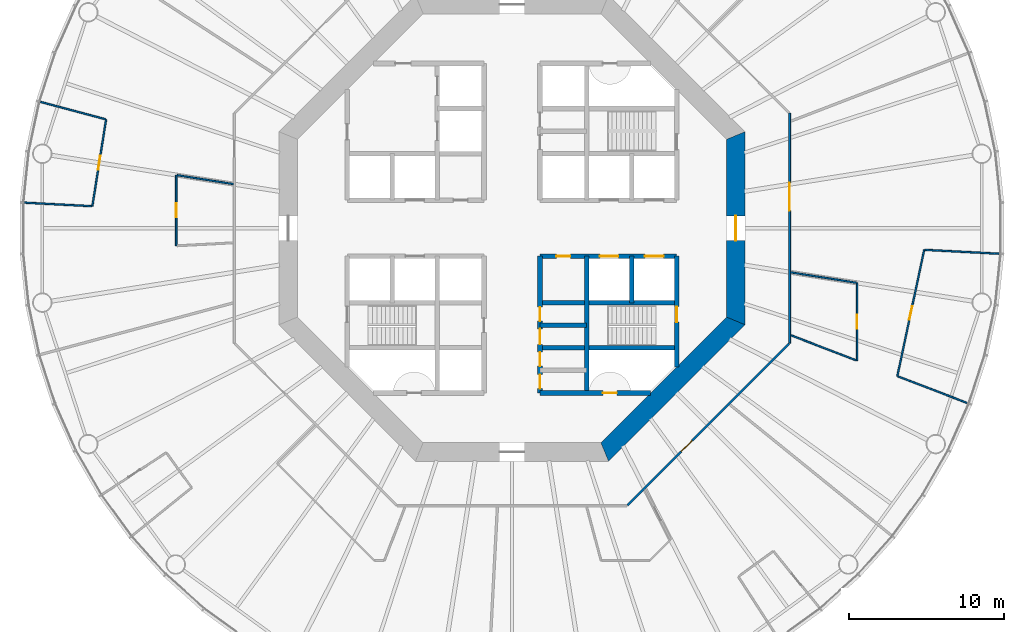
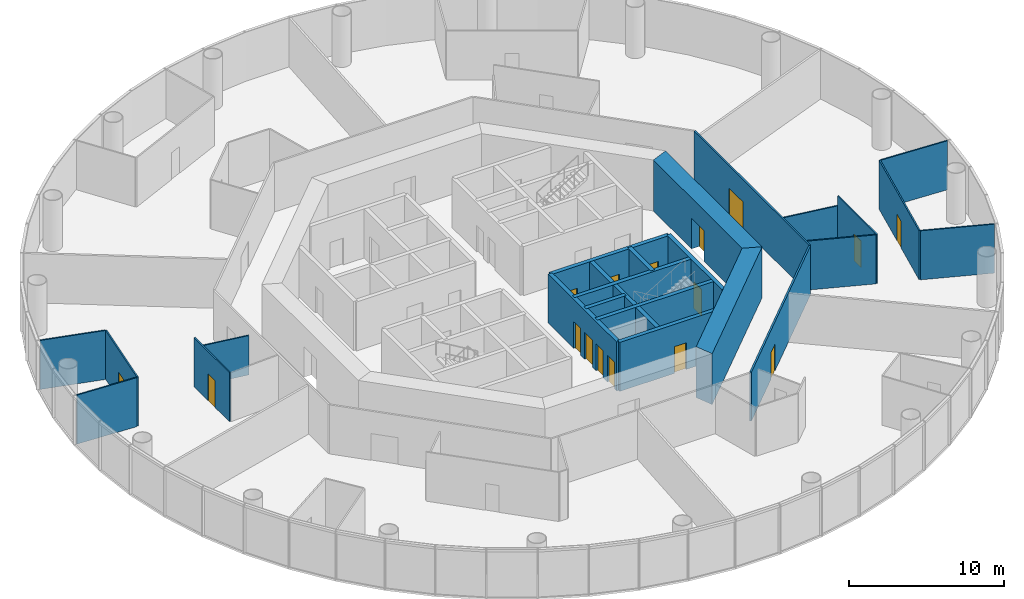
# One storey, part 4 of 13: 24 walls, 16 doors, 16 openings.
"""IFC4 building model written with IfcOpenShell, lengths in metres."""

from ifc_helpers import new_model, si_unit, direction, frame, frame_2d, origin, place, context, subcontext, project, spatial, polyline, rectangle, outline, extrude, material, layer, layer_set, type_object, element, fill, save


model = new_model("IFC4")

# Units and contexts
model_context = context("Model", 3, precision=1e-05, world=origin(), true_north=direction((0.0, 1.0)))
body_context = subcontext(model_context, "Body", "Model", "MODEL_VIEW")
ifc_project = project(units=[si_unit("LENGTHUNIT", "METRE"), si_unit("AREAUNIT", "SQUARE_METRE"), si_unit("VOLUMEUNIT", "CUBIC_METRE"), si_unit("PLANEANGLEUNIT", "RADIAN"), si_unit("MASSUNIT", "GRAM", prefix="KILO")], contexts=[model_context])

# Site, building, storey
site_placement = place(None, origin())
site = spatial("IfcSite", under=ifc_project, at=site_placement, CompositionType="ELEMENT")
building_placement = place(site_placement, origin())
building = spatial("IfcBuilding", under=site, at=building_placement, Name="Entoto Ring Tower", CompositionType="ELEMENT")
storey_placement = place(building_placement, frame((0.0, 0.0, 88.0)))
storey = spatial("IfcBuildingStorey", under=building, at=storey_placement, Name="L19", CompositionType="ELEMENT", Elevation=88.0)

# Wall, opening, door
ifc_material_1 = material(Name="Concrete C40/50", Category="concrete")
ifc_layer_1 = layer(ifc_material_1, 0.300048828125)
ifc_layer_set_1 = layer_set([ifc_layer_1], Name="Concrete C40/50")
wall_type_1 = type_object("IfcWallType", Name="Core enclosure wall 300 mm reinforced concrete", PredefinedType="SOLIDWALL", material=ifc_layer_set_1)
wall_1_placement = place(storey_placement, frame((100.60009765625, 71.083984375, 0.0), z_axis=(0.0, 0.0, 1.0), x_axis=(0.0, 1.0, 0.0)))
wall_1 = element("IfcWall", 1, at=wall_1_placement, inside=storey, type_object=wall_type_1, Name="wall-L19-001", PredefinedType="SOLIDWALL", context=body_context, shape_type="SweptSolid", body=[
    extrude(rectangle(XDim=7.115966796875, YDim=0.300048828125, at=frame_2d((3.55810546875, 0.0))), origin(), (0.0, 0.0, 1.0), 3.85009765625),
])
opening_1_placement = place(wall_1_placement, frame((2.8662109375, 0.0, 0.0)))
opening_1 = element("IfcOpeningElement", 2, at=opening_1_placement, cuts=wall_1, Name="Opening K-22", PredefinedType="OPENING", context=body_context, shape_type="SweptSolid", body=[
    extrude(rectangle(XDim=1.0, YDim=2.10009765625, at=frame_2d((0.5, 1.050048828125))), frame((0.0, 0.16015625, 0.0), z_axis=(0.0, -1.0, 0.0), x_axis=(1.0, 0.0, 0.0)), (0.0, 0.0, 1.0), 0.320068359375),
])
ifc_material_2 = material(Name="Steel door leaf, fire rated", Category="steel")
ifc_layer_2 = layer(ifc_material_2, 0.050048828125)
ifc_layer_set_2 = layer_set([ifc_layer_2], Name="Steel door leaf, fire rated")
door_type_1 = type_object("IfcDoorType", Name="Fire door FD60 1000 x 2100 single leaf", OperationType="NOTDEFINED", PredefinedType="DOOR", material=ifc_layer_set_2)
door_1_placement = place(opening_1_placement, origin())
door_1 = element("IfcDoor", 3, at=door_1_placement, inside=storey, type_object=door_type_1, Name="Door K-22", OperationType="SINGLE_SWING_RIGHT", OverallHeight=2.10009765625, OverallWidth=1.0, PredefinedType="DOOR", context=body_context, shape_type="SweptSolid", body=[
    extrude(rectangle(XDim=1.0, YDim=2.10009765625, at=frame_2d((0.5, 1.050048828125))), frame((0.0, 0.02490234375, 0.0), z_axis=(0.0, -1.0, 0.0), x_axis=(1.0, 0.0, 0.0)), (0.0, 0.0, 1.0), 0.050048828125),
])
fill(opening_1, door_1)

# Walls
wall_2_placement = place(storey_placement, frame((97.699951171875, 75.199951171875, 0.0), z_axis=(0.0, 0.0, 1.0), x_axis=(0.0, 1.0, 0.0)))
element("IfcWall", 4, at=wall_2_placement, inside=storey, type_object=wall_type_1, Name="wall-L19-003", PredefinedType="SOLIDWALL", context=body_context, shape_type="SweptSolid", body=[
    extrude(rectangle(XDim=3.0, YDim=0.300048828125, at=frame_2d((1.5, 0.0))), origin(), (0.0, 0.0, 1.0), 3.85009765625),
])
wall_3_placement = place(storey_placement, frame((94.800048828125, 69.39990234375, 0.0), z_axis=(0.0, 0.0, 1.0), x_axis=(0.0, 1.0, 0.0)))
element("IfcWall", 5, at=wall_3_placement, inside=storey, type_object=wall_type_1, Name="wall-L19-005", PredefinedType="SOLIDWALL", context=body_context, shape_type="SweptSolid", body=[
    extrude(rectangle(XDim=8.800048828125, YDim=0.300048828125, at=frame_2d((4.39990234375, 0.0))), origin(), (0.0, 0.0, 1.0), 3.85009765625),
])

# Wall, openings, doors
wall_4_placement = place(storey_placement, frame((91.800048828125, 69.39990234375, 0.0), z_axis=(0.0, 0.0, 1.0), x_axis=(0.0, 1.0, 0.0)))
wall_4 = element("IfcWall", 6, at=wall_4_placement, inside=storey, type_object=wall_type_1, Name="wall-L19-007", PredefinedType="SOLIDWALL", context=body_context, shape_type="SweptSolid", body=[
    extrude(rectangle(XDim=8.800048828125, YDim=0.300048828125, at=frame_2d((4.39990234375, 0.0))), origin(), (0.0, 0.0, 1.0), 3.85009765625),
])
opening_2_placement = place(wall_4_placement, frame((3.125, 0.0, 0.0)))
opening_2 = element("IfcOpeningElement", 7, at=opening_2_placement, cuts=wall_4, Name="Opening K-13", PredefinedType="OPENING", context=body_context, shape_type="SweptSolid", body=[
    extrude(rectangle(XDim=1.0, YDim=2.10009765625, at=frame_2d((0.5, 1.050048828125))), frame((0.0, 0.16015625, 0.0), z_axis=(0.0, -1.0, 0.0), x_axis=(1.0, 0.0, 0.0)), (0.0, 0.0, 1.0), 0.320068359375),
])
opening_3_placement = place(wall_4_placement, frame((4.625, 0.0, 0.0)))
opening_3 = element("IfcOpeningElement", 8, at=opening_3_placement, cuts=wall_4, Name="Opening K-14", PredefinedType="OPENING", context=body_context, shape_type="SweptSolid", body=[
    extrude(rectangle(XDim=0.89990234375, YDim=2.10009765625, at=frame_2d((0.449951171875, 1.050048828125))), frame((0.0, 0.16015625, 0.0), z_axis=(0.0, -1.0, 0.0), x_axis=(1.0, 0.0, 0.0)), (0.0, 0.0, 1.0), 0.320068359375),
])
opening_4_placement = place(wall_4_placement, frame((0.27490234375, 0.0, 0.0)))
opening_4 = element("IfcOpeningElement", 9, at=opening_4_placement, cuts=wall_4, Name="Opening K-15", PredefinedType="OPENING", context=body_context, shape_type="SweptSolid", body=[
    extrude(rectangle(XDim=0.89990234375, YDim=2.10009765625, at=frame_2d((0.449951171875, 1.050048828125))), frame((0.0, 0.16015625, 0.0), z_axis=(0.0, -1.0, 0.0), x_axis=(1.0, 0.0, 0.0)), (0.0, 0.0, 1.0), 0.320068359375),
])
opening_5_placement = place(wall_4_placement, frame((1.72509765625, 0.0, 0.0)))
opening_5 = element("IfcOpeningElement", 10, at=opening_5_placement, cuts=wall_4, Name="Opening K-16", PredefinedType="OPENING", context=body_context, shape_type="SweptSolid", body=[
    extrude(rectangle(XDim=0.89990234375, YDim=2.10009765625, at=frame_2d((0.449951171875, 1.050048828125))), frame((0.0, 0.16015625, 0.0), z_axis=(0.0, -1.0, 0.0), x_axis=(1.0, 0.0, 0.0)), (0.0, 0.0, 1.0), 0.320068359375),
])
ifc_material_3 = material(Name="Steel door leaf, fire rated", Category="steel")
ifc_layer_3 = layer(ifc_material_3, 0.050048828125)
ifc_layer_set_3 = layer_set([ifc_layer_3], Name="Steel door leaf, fire rated")
door_type_2 = type_object("IfcDoorType", Name="Accessible door 1000 x 2100 single leaf", OperationType="NOTDEFINED", PredefinedType="DOOR", material=ifc_layer_set_3)
door_2_placement = place(opening_2_placement, frame((1.0, 0.0, 0.0), z_axis=(0.0, 0.0, 1.0), x_axis=(-1.0, 0.0, 0.0)))
door_2 = element("IfcDoor", 11, at=door_2_placement, inside=storey, type_object=door_type_2, Name="Door K-13", OperationType="SINGLE_SWING_LEFT", OverallHeight=2.10009765625, OverallWidth=1.0, PredefinedType="DOOR", context=body_context, shape_type="SweptSolid", body=[
    extrude(rectangle(XDim=1.0, YDim=2.10009765625, at=frame_2d((0.5, 1.050048828125))), frame((0.0, 0.02490234375, 0.0), z_axis=(0.0, -1.0, 0.0), x_axis=(1.0, 0.0, 0.0)), (0.0, 0.0, 1.0), 0.050048828125),
])
fill(opening_2, door_2)
ifc_material_4 = material(Name="Steel door leaf, fire rated", Category="steel")
ifc_layer_4 = layer(ifc_material_4, 0.050048828125)
ifc_layer_set_4 = layer_set([ifc_layer_4], Name="Steel door leaf, fire rated")
door_type_3 = type_object("IfcDoorType", Name="Core door 900 x 2100 single leaf", OperationType="NOTDEFINED", PredefinedType="DOOR", material=ifc_layer_set_4)
door_3_placement = place(opening_3_placement, frame((0.89990234375, 0.0, 0.0), z_axis=(0.0, 0.0, 1.0), x_axis=(-1.0, 0.0, 0.0)))
door_3 = element("IfcDoor", 12, at=door_3_placement, inside=storey, type_object=door_type_3, Name="Door K-14", OperationType="SINGLE_SWING_LEFT", OverallHeight=2.10009765625, OverallWidth=0.89990234375, PredefinedType="DOOR", context=body_context, shape_type="SweptSolid", body=[
    extrude(rectangle(XDim=0.89990234375, YDim=2.10009765625, at=frame_2d((0.449951171875, 1.050048828125))), frame((0.0, 0.02490234375, 0.0), z_axis=(0.0, -1.0, 0.0), x_axis=(1.0, 0.0, 0.0)), (0.0, 0.0, 1.0), 0.050048828125),
])
fill(opening_3, door_3)
door_4_placement = place(opening_4_placement, frame((0.89990234375, 0.0, 0.0), z_axis=(0.0, 0.0, 1.0), x_axis=(-1.0, 0.0, 0.0)))
door_4 = element("IfcDoor", 13, at=door_4_placement, inside=storey, type_object=door_type_3, Name="Door K-15", OperationType="SINGLE_SWING_LEFT", OverallHeight=2.10009765625, OverallWidth=0.89990234375, PredefinedType="DOOR", context=body_context, shape_type="SweptSolid", body=[
    extrude(rectangle(XDim=0.89990234375, YDim=2.10009765625, at=frame_2d((0.449951171875, 1.050048828125))), frame((0.0, 0.02490234375, 0.0), z_axis=(0.0, -1.0, 0.0), x_axis=(1.0, 0.0, 0.0)), (0.0, 0.0, 1.0), 0.050048828125),
])
fill(opening_4, door_4)
door_5_placement = place(opening_5_placement, frame((0.89990234375, 0.0, 0.0), z_axis=(0.0, 0.0, 1.0), x_axis=(-1.0, 0.0, 0.0)))
door_5 = element("IfcDoor", 14, at=door_5_placement, inside=storey, type_object=door_type_3, Name="Door K-16", OperationType="SINGLE_SWING_LEFT", OverallHeight=2.10009765625, OverallWidth=0.89990234375, PredefinedType="DOOR", context=body_context, shape_type="SweptSolid", body=[
    extrude(rectangle(XDim=0.89990234375, YDim=2.10009765625, at=frame_2d((0.449951171875, 1.050048828125))), frame((0.0, 0.02490234375, 0.0), z_axis=(0.0, -1.0, 0.0), x_axis=(1.0, 0.0, 0.0)), (0.0, 0.0, 1.0), 0.050048828125),
])
fill(opening_5, door_5)

# Wall, opening, door
wall_5_placement = place(storey_placement, frame((91.800048828125, 69.39990234375, 0.0), z_axis=(0.0, 0.0, 1.0), x_axis=(1.0, 0.0, 0.0)))
wall_5 = element("IfcWall", 15, at=wall_5_placement, inside=storey, type_object=wall_type_1, Name="wall-L19-018", PredefinedType="SOLIDWALL", context=body_context, shape_type="SweptSolid", body=[
    extrude(rectangle(XDim=7.115966796875, YDim=0.300048828125, at=frame_2d((3.55810546875, 0.0))), origin(), (0.0, 0.0, 1.0), 3.85009765625),
])
opening_6_placement = place(wall_5_placement, frame((4.050048828125, 0.0, 0.0)))
opening_6 = element("IfcOpeningElement", 16, at=opening_6_placement, cuts=wall_5, Name="Opening K-75", PredefinedType="OPENING", context=body_context, shape_type="SweptSolid", body=[
    extrude(rectangle(XDim=0.89990234375, YDim=2.10009765625, at=frame_2d((0.449951171875, 1.050048828125))), frame((0.0, 0.16015625, 0.0), z_axis=(0.0, -1.0, 0.0), x_axis=(1.0, 0.0, 0.0)), (0.0, 0.0, 1.0), 0.320068359375),
])
ifc_material_5 = material(Name="Steel door leaf, fire rated", Category="steel")
ifc_layer_5 = layer(ifc_material_5, 0.050048828125)
ifc_layer_set_5 = layer_set([ifc_layer_5], Name="Steel door leaf, fire rated")
door_type_4 = type_object("IfcDoorType", Name="Riser door FD60 900 x 2100 single leaf", OperationType="NOTDEFINED", PredefinedType="DOOR", material=ifc_layer_set_5)
door_6_placement = place(opening_6_placement, origin())
door_6 = element("IfcDoor", 17, at=door_6_placement, inside=storey, type_object=door_type_4, Name="Door K-75", OperationType="SINGLE_SWING_LEFT", OverallHeight=2.10009765625, OverallWidth=0.89990234375, PredefinedType="DOOR", context=body_context, shape_type="SweptSolid", body=[
    extrude(rectangle(XDim=0.89990234375, YDim=2.10009765625, at=frame_2d((0.449951171875, 1.050048828125))), frame((0.0, 0.02490234375, 0.0), z_axis=(0.0, -1.0, 0.0), x_axis=(1.0, 0.0, 0.0)), (0.0, 0.0, 1.0), 0.050048828125),
])
fill(opening_6, door_6)

# Walls
wall_6_placement = place(storey_placement, frame((91.800048828125, 72.300048828125, 0.0), z_axis=(0.0, 0.0, 1.0), x_axis=(1.0, 0.0, 0.0)))
element("IfcWall", 18, at=wall_6_placement, inside=storey, type_object=wall_type_1, Name="wall-L19-021", PredefinedType="SOLIDWALL", context=body_context, shape_type="SweptSolid", body=[
    extrude(rectangle(XDim=8.800048828125, YDim=0.300048828125, at=frame_2d((4.39990234375, 0.0))), origin(), (0.0, 0.0, 1.0), 3.85009765625),
])
wall_7_placement = place(storey_placement, frame((91.800048828125, 73.75, 0.0), z_axis=(0.0, 0.0, 1.0), x_axis=(1.0, 0.0, 0.0)))
element("IfcWall", 19, at=wall_7_placement, inside=storey, type_object=wall_type_1, Name="wall-L19-022", PredefinedType="SOLIDWALL", context=body_context, shape_type="SweptSolid", body=[
    extrude(rectangle(XDim=3.0, YDim=0.300048828125, at=frame_2d((1.5, 0.0))), origin(), (0.0, 0.0, 1.0), 3.85009765625),
])
wall_8_placement = place(storey_placement, frame((91.800048828125, 75.199951171875, 0.0), z_axis=(0.0, 0.0, 1.0), x_axis=(1.0, 0.0, 0.0)))
element("IfcWall", 20, at=wall_8_placement, inside=storey, type_object=wall_type_1, Name="wall-L19-024", PredefinedType="SOLIDWALL", context=body_context, shape_type="SweptSolid", body=[
    extrude(rectangle(XDim=8.800048828125, YDim=0.300048828125, at=frame_2d((4.39990234375, 0.0))), origin(), (0.0, 0.0, 1.0), 3.85009765625),
])

# Wall, openings, doors
wall_9_placement = place(storey_placement, frame((91.800048828125, 78.199951171875, 0.0), z_axis=(0.0, 0.0, 1.0), x_axis=(1.0, 0.0, 0.0)))
wall_9 = element("IfcWall", 21, at=wall_9_placement, inside=storey, type_object=wall_type_1, Name="wall-L19-026", PredefinedType="SOLIDWALL", context=body_context, shape_type="SweptSolid", body=[
    extrude(rectangle(XDim=8.800048828125, YDim=0.300048828125, at=frame_2d((4.39990234375, 0.0))), origin(), (0.0, 0.0, 1.0), 3.85009765625),
])
opening_7_placement = place(wall_9_placement, frame((3.85009765625, 0.0, 0.0)))
opening_7 = element("IfcOpeningElement", 22, at=opening_7_placement, cuts=wall_9, Name="Opening LD", PredefinedType="OPENING", context=body_context, shape_type="SweptSolid", body=[
    extrude(rectangle(XDim=1.199951171875, YDim=2.10009765625, at=frame_2d((0.60009765625, 1.050048828125))), frame((0.0, 0.16015625, 0.0), z_axis=(0.0, -1.0, 0.0), x_axis=(1.0, 0.0, 0.0)), (0.0, 0.0, 1.0), 0.320068359375),
])
opening_8_placement = place(wall_9_placement, frame((6.75, 0.0, 0.0)))
opening_8 = element("IfcOpeningElement", 23, at=opening_8_placement, cuts=wall_9, Name="Opening LD", PredefinedType="OPENING", context=body_context, shape_type="SweptSolid", body=[
    extrude(rectangle(XDim=1.199951171875, YDim=2.10009765625, at=frame_2d((0.60009765625, 1.050048828125))), frame((0.0, 0.16015625, 0.0), z_axis=(0.0, -1.0, 0.0), x_axis=(1.0, 0.0, 0.0)), (0.0, 0.0, 1.0), 0.320068359375),
])
opening_9_placement = place(wall_9_placement, frame((1.050048828125, 0.0, 0.0)))
opening_9 = element("IfcOpeningElement", 24, at=opening_9_placement, cuts=wall_9, Name="Opening K-19", PredefinedType="OPENING", context=body_context, shape_type="SweptSolid", body=[
    extrude(rectangle(XDim=0.89990234375, YDim=2.10009765625, at=frame_2d((0.449951171875, 1.050048828125))), frame((0.0, 0.16015625, 0.0), z_axis=(0.0, -1.0, 0.0), x_axis=(1.0, 0.0, 0.0)), (0.0, 0.0, 1.0), 0.320068359375),
])
door_7_placement = place(opening_9_placement, frame((0.89990234375, 0.0, 0.0), z_axis=(0.0, 0.0, 1.0), x_axis=(-1.0, 0.0, 0.0)))
door_7 = element("IfcDoor", 25, at=door_7_placement, inside=storey, type_object=door_type_3, Name="Door K-19", OperationType="SINGLE_SWING_RIGHT", OverallHeight=2.10009765625, OverallWidth=0.89990234375, PredefinedType="DOOR", context=body_context, shape_type="SweptSolid", body=[
    extrude(rectangle(XDim=0.89990234375, YDim=2.10009765625, at=frame_2d((0.449951171875, 1.050048828125))), frame((0.0, 0.02490234375, 0.0), z_axis=(0.0, -1.0, 0.0), x_axis=(1.0, 0.0, 0.0)), (0.0, 0.0, 1.0), 0.050048828125),
])
fill(opening_9, door_7)
ifc_material_6 = material(Name="Steel and glass door leaf", Category="steel")
ifc_layer_6 = layer(ifc_material_6, 0.050048828125)
ifc_layer_set_6 = layer_set([ifc_layer_6], Name="Steel and glass door leaf")
door_type_5 = type_object("IfcDoorType", Name="Landing door 1200 x 2100 sliding", OperationType="DOUBLE_DOOR_SLIDING", PredefinedType="DOOR", material=ifc_layer_set_6)
door_8_placement = place(opening_7_placement, origin())
door_8 = element("IfcDoor", 26, at=door_8_placement, inside=storey, type_object=door_type_5, Name="Landing door LB4-LR", OperationType="SLIDING_TO_RIGHT", OverallHeight=2.10009765625, OverallWidth=1.199951171875, PredefinedType="DOOR", context=body_context, shape_type="SweptSolid", body=[
    extrude(rectangle(XDim=1.199951171875, YDim=2.10009765625, at=frame_2d((0.60009765625, 1.050048828125))), frame((0.0, 0.02490234375, 0.0), z_axis=(0.0, -1.0, 0.0), x_axis=(1.0, 0.0, 0.0)), (0.0, 0.0, 1.0), 0.050048828125),
])
fill(opening_7, door_8)
door_9_placement = place(opening_8_placement, origin())
door_9 = element("IfcDoor", 27, at=door_9_placement, inside=storey, type_object=door_type_5, Name="Landing door LB5-LR", OperationType="SLIDING_TO_RIGHT", OverallHeight=2.10009765625, OverallWidth=1.199951171875, PredefinedType="DOOR", context=body_context, shape_type="SweptSolid", body=[
    extrude(rectangle(XDim=1.199951171875, YDim=2.10009765625, at=frame_2d((0.60009765625, 1.050048828125))), frame((0.0, 0.02490234375, 0.0), z_axis=(0.0, -1.0, 0.0), x_axis=(1.0, 0.0, 0.0)), (0.0, 0.0, 1.0), 0.050048828125),
])
fill(opening_8, door_9)

# Wall, opening, door
ifc_material_7 = material(Name="Concrete C60/75", Category="concrete")
ifc_layer_7 = layer(ifc_material_7, 1.199951171875)
ifc_layer_set_7 = layer_set([ifc_layer_7], Name="Concrete C60/75")
wall_type_2 = type_object("IfcWallType", Name="Core shear wall 1200 mm reinforced concrete C60/75", PredefinedType="SHEAR", material=ifc_layer_set_7)
wall_10_placement = place(storey_placement, frame((104.39990234375, 74.035400390625, 0.0), z_axis=(0.0, 0.0, 1.0), x_axis=(0.0, 1.0, 0.0)))
wall_10 = element("IfcWall", 28, at=wall_10_placement, inside=storey, type_object=wall_type_2, Name="wall-L19-core-0", PredefinedType="SHEAR", context=body_context, shape_type="SweptSolid", body=[
    extrude(outline(polyline([(-0.24853515625, -0.60009765625), (12.177734375, -0.60009765625), (11.6806640625, 0.60009765625), (0.24853515625, 0.60009765625), (-0.24853515625, -0.60009765625)])), origin(), (0.0, 0.0, 1.0), 4.0),
])
opening_10_placement = place(wall_10_placement, frame((5.164794921875, 0.0, 0.0)))
opening_10 = element("IfcOpeningElement", 29, at=opening_10_placement, cuts=wall_10, Name="Opening K-01", PredefinedType="OPENING", context=body_context, shape_type="SweptSolid", body=[
    extrude(rectangle(XDim=1.60009765625, YDim=2.39990234375, at=frame_2d((0.800048828125, 1.199951171875))), frame((0.0, 0.60986328125, 0.0), z_axis=(0.0, -1.0, 0.0), x_axis=(1.0, 0.0, 0.0)), (0.0, 0.0, 1.0), 1.219970703125),
])
ifc_material_8 = material(Name="Steel door leaf, fire rated", Category="steel")
ifc_layer_8 = layer(ifc_material_8, 0.050048828125)
ifc_layer_set_8 = layer_set([ifc_layer_8], Name="Steel door leaf, fire rated")
door_type_6 = type_object("IfcDoorType", Name="Entrance door FD60 1600 x 2400 double leaf", OperationType="DOUBLE_DOOR_SINGLE_SWING", PredefinedType="DOOR", material=ifc_layer_set_8)
door_10_placement = place(opening_10_placement, origin())
door_10 = element("IfcDoor", 30, at=door_10_placement, inside=storey, type_object=door_type_6, Name="Entrance door K-01", OperationType="DOUBLE_DOOR_SINGLE_SWING", OverallHeight=2.39990234375, OverallWidth=1.60009765625, PredefinedType="DOOR", context=body_context, shape_type="SweptSolid", body=[
    extrude(rectangle(XDim=1.60009765625, YDim=2.39990234375, at=frame_2d((0.800048828125, 1.199951171875))), frame((0.0, 0.02490234375, 0.0), z_axis=(0.0, -1.0, 0.0), x_axis=(1.0, 0.0, 0.0)), (0.0, 0.0, 1.0), 0.050048828125),
])
fill(opening_10, door_10)

# Wall
wall_11_placement = place(storey_placement, frame((95.964599609375, 65.60009765625, 0.0), z_axis=(0.0, 0.0, 1.0), x_axis=(0.707106781187, 0.707106781187, 0.0)))
element("IfcWall", 31, at=wall_11_placement, inside=storey, type_object=wall_type_2, Name="wall-L19-core-7", PredefinedType="SHEAR", context=body_context, shape_type="SweptSolid", body=[
    extrude(outline(polyline([(-0.24853515625, -0.60009765625), (12.177734375, -0.60009765625), (11.6806640625, 0.60009765625), (0.24853515625, 0.60009765625), (-0.24853515625, -0.60009765625)])), origin(), (0.0, 0.0, 1.0), 4.0),
])

# Wall, opening, door
ifc_material_9 = material(Name="Fire-resisting plasterboard on steel studs", Category="steel")
ifc_layer_9 = layer(ifc_material_9, 0.125)
ifc_layer_set_9 = layer_set([ifc_layer_9], Name="Fire-resisting plasterboard on steel studs")
wall_type_3 = type_object("IfcWallType", Name="Corridor wall 125 mm one-hour plasterboard on steel studs", PredefinedType="PARTITIONING", material=ifc_layer_set_9)
wall_12_placement = place(storey_placement, frame((107.862548828125, 72.60107421875, 0.0), z_axis=(0.0, 0.0, 1.0), x_axis=(0.0, 1.0, 0.0)))
wall_12 = element("IfcWall", 32, at=wall_12_placement, inside=storey, type_object=wall_type_3, Name="partition-L19-004", PredefinedType="PARTITIONING", context=body_context, shape_type="SweptSolid", body=[
    extrude(rectangle(XDim=14.7978515625, YDim=0.125, at=frame_2d((7.39892578125, 0.0))), origin(), (0.0, 0.0, 1.0), 3.85009765625),
])
opening_11_placement = place(wall_12_placement, frame((8.5126953125, 0.0, 0.0)))
opening_11 = element("IfcOpeningElement", 33, at=opening_11_placement, cuts=wall_12, Name="Opening A08-D01", PredefinedType="OPENING", context=body_context, shape_type="SweptSolid", body=[
    extrude(rectangle(XDim=1.800048828125, YDim=2.10009765625, at=frame_2d((0.89990234375, 1.050048828125))), frame((0.0, 0.072509765625, 0.0), z_axis=(0.0, -1.0, 0.0), x_axis=(1.0, 0.0, 0.0)), (0.0, 0.0, 1.0), 0.14501953125),
])
ifc_material_10 = material(Name="Fire-resisting timber door set", Category="wood")
door_type_7 = type_object("IfcDoorType", Name="Door 1800 x 2100 double leaf FD30S fire door", OperationType="DOUBLE_DOOR_SINGLE_SWING", PredefinedType="DOOR", material=ifc_material_10)
door_11_placement = place(opening_11_placement, frame((1.800048828125, 0.0, 0.0), z_axis=(0.0, 0.0, 1.0), x_axis=(-1.0, 0.0, 0.0)))
door_11 = element("IfcDoor", 34, at=door_11_placement, inside=storey, type_object=door_type_7, Name="Door A08-D01", OperationType="DOUBLE_DOOR_SINGLE_SWING", OverallHeight=2.10009765625, OverallWidth=1.800048828125, PredefinedType="DOOR", context=body_context, shape_type="SweptSolid", body=[
    extrude(rectangle(XDim=1.800048828125, YDim=2.10009765625, at=frame_2d((0.89990234375, 1.050048828125))), frame((0.0, 0.02490234375, 0.0), z_axis=(0.0, -1.0, 0.0), x_axis=(1.0, 0.0, 0.0)), (0.0, 0.0, 1.0), 0.050048828125),
])
fill(opening_11, door_11)

wall_13_placement = place(storey_placement, frame((97.429931640625, 62.168701171875, 0.0), z_axis=(0.0, 0.0, 1.0), x_axis=(0.707106781187, 0.707106781187, 0.0)))
wall_13 = element("IfcWall", 35, at=wall_13_placement, inside=storey, type_object=wall_type_3, Name="partition-L19-007", PredefinedType="PARTITIONING", context=body_context, shape_type="SweptSolid", body=[
    extrude(rectangle(XDim=14.709716796875, YDim=0.125, at=frame_2d((7.35498046875, 0.0))), origin(), (0.0, 0.0, 1.0), 3.85009765625),
])
opening_12_placement = place(wall_13_placement, frame((4.8916015625, 0.0, 0.0)))
opening_12 = element("IfcOpeningElement", 36, at=opening_12_placement, cuts=wall_13, Name="Opening A08-D16", PredefinedType="OPENING", context=body_context, shape_type="SweptSolid", body=[
    extrude(rectangle(XDim=1.0, YDim=2.10009765625, at=frame_2d((0.5, 1.050048828125))), frame((0.0, 0.072509765625, 0.0), z_axis=(0.0, -1.0, 0.0), x_axis=(1.0, 0.0, 0.0)), (0.0, 0.0, 1.0), 0.14501953125),
])
ifc_material_11 = material(Name="Fire-resisting timber door set", Category="wood")
door_type_8 = type_object("IfcDoorType", Name="Door 1000 x 2100 single leaf FD30S fire door", OperationType="NOTDEFINED", PredefinedType="DOOR", material=ifc_material_11)
door_12_placement = place(opening_12_placement, frame((1.0, 0.0, 0.0), z_axis=(0.0, 0.0, 1.0), x_axis=(-1.0, 0.0, 0.0)))
door_12 = element("IfcDoor", 37, at=door_12_placement, inside=storey, type_object=door_type_8, Name="Door A08-D16", OperationType="SINGLE_SWING_LEFT", OverallHeight=2.10009765625, OverallWidth=1.0, PredefinedType="DOOR", context=body_context, shape_type="SweptSolid", body=[
    extrude(rectangle(XDim=1.0, YDim=2.10009765625, at=frame_2d((0.5, 1.050048828125))), frame((0.0, 0.02490234375, 0.0), z_axis=(0.0, -1.0, 0.0), x_axis=(1.0, 0.0, 0.0)), (0.0, 0.0, 1.0), 0.050048828125),
])
fill(opening_12, door_12)

ifc_material_12 = material(Name="Plasterboard on steel studs", Category="steel")
ifc_layer_10 = layer(ifc_material_12, 0.10009765625)
ifc_layer_set_10 = layer_set([ifc_layer_10], Name="Plasterboard on steel studs")
wall_type_4 = type_object("IfcWallType", Name="Partition 100 mm plasterboard on steel studs", PredefinedType="PARTITIONING", material=ifc_layer_set_10)
wall_14_placement = place(storey_placement, frame((114.7958984375, 70.481689453125, 0.0), z_axis=(0.0, 0.0, 1.0), x_axis=(0.207915677691, 0.978146753289, 0.0)))
wall_14 = element("IfcWall", 38, at=wall_14_placement, inside=storey, type_object=wall_type_4, Name="partition-L19-018", PredefinedType="PARTITIONING", context=body_context, shape_type="SweptSolid", body=[
    extrude(rectangle(XDim=8.31005859375, YDim=0.10009765625, at=frame_2d((4.155029296875, 0.0))), origin(), (0.0, 0.0, 1.0), 3.85009765625),
])
opening_13_placement = place(wall_14_placement, frame((3.704833984375, 0.0, 0.0)))
opening_13 = element("IfcOpeningElement", 39, at=opening_13_placement, cuts=wall_14, Name="Opening A08-D03", PredefinedType="OPENING", context=body_context, shape_type="SweptSolid", body=[
    extrude(rectangle(XDim=0.89990234375, YDim=2.10009765625, at=frame_2d((0.449951171875, 1.050048828125))), frame((0.0, 0.06005859375, 0.0), z_axis=(0.0, -1.0, 0.0), x_axis=(1.0, 0.0, 0.0)), (0.0, 0.0, 1.0), 0.1201171875),
])
ifc_material_13 = material(Name="Veneered timber door leaf in timber frame", Category="wood")
door_type_9 = type_object("IfcDoorType", Name="Door 900 x 2100 single leaf timber veneer", OperationType="NOTDEFINED", PredefinedType="DOOR", material=ifc_material_13)
door_13_placement = place(opening_13_placement, frame((0.89990234375, 0.0, 0.0), z_axis=(0.0, 0.0, 1.0), x_axis=(-1.0, 0.0, 0.0)))
door_13 = element("IfcDoor", 40, at=door_13_placement, inside=storey, type_object=door_type_9, Name="Door A08-D03", OperationType="SINGLE_SWING_RIGHT", OverallHeight=2.10009765625, OverallWidth=0.89990234375, PredefinedType="DOOR", context=body_context, shape_type="SweptSolid", body=[
    extrude(rectangle(XDim=0.89990234375, YDim=2.10009765625, at=frame_2d((0.449951171875, 1.050048828125))), frame((0.0, 0.02490234375, 0.0), z_axis=(0.0, -1.0, 0.0), x_axis=(1.0, 0.0, 0.0)), (0.0, 0.0, 1.0), 0.050048828125),
])
fill(opening_13, door_13)

wall_15_placement = place(storey_placement, frame((62.9970703125, 81.415283203125, 0.0), z_axis=(0.0, 0.0, 1.0), x_axis=(0.156430514492, 0.987688966292, 0.0)))
wall_15 = element("IfcWall", 41, at=wall_15_placement, inside=storey, type_object=wall_type_4, Name="partition-L19-020", PredefinedType="PARTITIONING", context=body_context, shape_type="SweptSolid", body=[
    extrude(rectangle(XDim=5.65283203125, YDim=0.10009765625, at=frame_2d((2.826416015625, 0.0))), origin(), (0.0, 0.0, 1.0), 3.85009765625),
])
opening_14_placement = place(wall_15_placement, frame((2.37646484375, 0.0, 0.0)))
opening_14 = element("IfcOpeningElement", 42, at=opening_14_placement, cuts=wall_15, Name="Opening A08-D12", PredefinedType="OPENING", context=body_context, shape_type="SweptSolid", body=[
    extrude(rectangle(XDim=0.89990234375, YDim=2.10009765625, at=frame_2d((0.449951171875, 1.050048828125))), frame((0.0, 0.06005859375, 0.0), z_axis=(0.0, -1.0, 0.0), x_axis=(1.0, 0.0, 0.0)), (0.0, 0.0, 1.0), 0.1201171875),
])
door_14_placement = place(opening_14_placement, origin())
door_14 = element("IfcDoor", 43, at=door_14_placement, inside=storey, type_object=door_type_9, Name="Door A08-D12", OperationType="SINGLE_SWING_LEFT", OverallHeight=2.10009765625, OverallWidth=0.89990234375, PredefinedType="DOOR", context=body_context, shape_type="SweptSolid", body=[
    extrude(rectangle(XDim=0.89990234375, YDim=2.10009765625, at=frame_2d((0.449951171875, 1.050048828125))), frame((0.0, 0.02490234375, 0.0), z_axis=(0.0, -1.0, 0.0), x_axis=(1.0, 0.0, 0.0)), (0.0, 0.0, 1.0), 0.050048828125),
])
fill(opening_14, door_14)

wall_16_placement = place(storey_placement, frame((112.202392578125, 71.477294921875, 0.0), z_axis=(0.0, 0.0, 1.0), x_axis=(0.0, 1.0, 0.0)))
wall_16 = element("IfcWall", 44, at=wall_16_placement, inside=storey, type_object=wall_type_4, Name="partition-L19-021", PredefinedType="PARTITIONING", context=body_context, shape_type="SweptSolid", body=[
    extrude(rectangle(XDim=5.006103515625, YDim=0.10009765625, at=frame_2d((2.5029296875, 0.0))), origin(), (0.0, 0.0, 1.0), 3.85009765625),
])
opening_15_placement = place(wall_16_placement, frame((2.052978515625, 0.0, 0.0)))
opening_15 = element("IfcOpeningElement", 45, at=opening_15_placement, cuts=wall_16, Name="Opening A08-D02", PredefinedType="OPENING", context=body_context, shape_type="SweptSolid", body=[
    extrude(rectangle(XDim=0.89990234375, YDim=2.10009765625, at=frame_2d((0.449951171875, 1.050048828125))), frame((0.0, 0.06005859375, 0.0), z_axis=(0.0, -1.0, 0.0), x_axis=(1.0, 0.0, 0.0)), (0.0, 0.0, 1.0), 0.1201171875),
])
door_15_placement = place(opening_15_placement, origin())
door_15 = element("IfcDoor", 46, at=door_15_placement, inside=storey, type_object=door_type_9, Name="Door A08-D02", OperationType="SINGLE_SWING_LEFT", OverallHeight=2.10009765625, OverallWidth=0.89990234375, PredefinedType="DOOR", context=body_context, shape_type="SweptSolid", body=[
    extrude(rectangle(XDim=0.89990234375, YDim=2.10009765625, at=frame_2d((0.449951171875, 1.050048828125))), frame((0.0, 0.02490234375, 0.0), z_axis=(0.0, -1.0, 0.0), x_axis=(1.0, 0.0, 0.0)), (0.0, 0.0, 1.0), 0.050048828125),
])
fill(opening_15, door_15)

# Walls
for number, where, z_axis, x_axis, name in (
    (47, (121.39697265625, 78.3544921875, 0.0), (0.0, 0.0, 1.0), (-0.998628419146, 0.05235723898, 0.0), "partition-L19-024"),
    (48, (119.351806640625, 68.73291015625, 0.0), (0.0, 0.0, 1.0), (-0.933582460858, 0.35836264981, 0.0), "partition-L19-025"),
):
    element("IfcWall", number, at=place(storey_placement, frame(where, z_axis=z_axis, x_axis=x_axis)), inside=storey, type_object=wall_type_4, Name=name, PredefinedType="PARTITIONING", context=body_context, shape_type="SweptSolid", body=[
        extrude(rectangle(XDim=4.830810546875, YDim=0.10009765625, at=frame_2d((2.41552734375, 0.0))), origin(), (0.0, 0.0, 1.0), 3.85009765625),
    ])
wall_17_placement = place(storey_placement, frame((112.134765625, 71.50341796875, 0.0), z_axis=(0.0, 0.0, 1.0), x_axis=(-0.933597625222, 0.358323142121, 0.0)))
element("IfcWall", 49, at=wall_17_placement, inside=storey, type_object=wall_type_4, Name="partition-L19-028", PredefinedType="PARTITIONING", context=body_context, shape_type="SweptSolid", body=[
    extrude(rectangle(XDim=4.489990234375, YDim=0.10009765625, at=frame_2d((2.2451171875, 0.0))), origin(), (0.0, 0.0, 1.0), 3.85009765625),
])

# Wall, opening, door
wall_18_placement = place(storey_placement, frame((68.3974609375, 78.867919921875, 0.0), z_axis=(0.0, 0.0, 1.0), x_axis=(0.0, 1.0, 0.0)))
wall_18 = element("IfcWall", 50, at=wall_18_placement, inside=storey, type_object=wall_type_4, Name="partition-L19-029", PredefinedType="PARTITIONING", context=body_context, shape_type="SweptSolid", body=[
    extrude(rectangle(XDim=4.553466796875, YDim=0.10009765625, at=frame_2d((2.27685546875, 0.0))), origin(), (0.0, 0.0, 1.0), 3.85009765625),
])
opening_16_placement = place(wall_18_placement, frame((1.826904296875, 0.0, 0.0)))
opening_16 = element("IfcOpeningElement", 51, at=opening_16_placement, cuts=wall_18, Name="Opening A08-D11", PredefinedType="OPENING", context=body_context, shape_type="SweptSolid", body=[
    extrude(rectangle(XDim=0.89990234375, YDim=2.10009765625, at=frame_2d((0.449951171875, 1.050048828125))), frame((0.0, 0.06005859375, 0.0), z_axis=(0.0, -1.0, 0.0), x_axis=(1.0, 0.0, 0.0)), (0.0, 0.0, 1.0), 0.1201171875),
])
door_16_placement = place(opening_16_placement, frame((0.89990234375, 0.0, 0.0), z_axis=(0.0, 0.0, 1.0), x_axis=(-1.0, 0.0, 0.0)))
door_16 = element("IfcDoor", 52, at=door_16_placement, inside=storey, type_object=door_type_9, Name="Door A08-D11", OperationType="SINGLE_SWING_LEFT", OverallHeight=2.10009765625, OverallWidth=0.89990234375, PredefinedType="DOOR", context=body_context, shape_type="SweptSolid", body=[
    extrude(rectangle(XDim=0.89990234375, YDim=2.10009765625, at=frame_2d((0.449951171875, 1.050048828125))), frame((0.0, 0.02490234375, 0.0), z_axis=(0.0, -1.0, 0.0), x_axis=(1.0, 0.0, 0.0)), (0.0, 0.0, 1.0), 0.050048828125),
])
fill(opening_16, door_16)

# Walls
for number, where, z_axis, x_axis, name in (
    (53, (63.83349609375, 87.01123046875, 0.0), (0.0, 0.0, 1.0), (-0.965925005542, 0.258822108155, 0.0), "partition-L19-032"),
    (54, (62.947509765625, 81.417724609375, 0.0), (0.0, 0.0, 1.0), (-0.99862835084, 0.0523585418, 0.0), "partition-L19-033"),
):
    element("IfcWall", number, at=place(storey_placement, frame(where, z_axis=z_axis, x_axis=x_axis)), inside=storey, type_object=wall_type_4, Name=name, PredefinedType="PARTITIONING", context=body_context, shape_type="SweptSolid", body=[
        extrude(rectangle(XDim=4.350341796875, YDim=0.10009765625, at=frame_2d((2.17529296875, 0.0))), origin(), (0.0, 0.0, 1.0), 3.85009765625),
    ])
ifc_material_14 = material(Name="Plasterboard on steel studs", Category="steel")
ifc_layer_11 = layer(ifc_material_14, 0.10009765625)
ifc_layer_set_11 = layer_set([ifc_layer_11], Name="Plasterboard on steel studs")
wall_type_5 = type_object("IfcWallType", Name="Partition 100 mm plasterboard on steel studs, 3097 mm high", PredefinedType="PARTITIONING", material=ifc_layer_set_11)
wall_19_placement = place(storey_placement, frame((112.15380859375, 76.4912109375, 0.0), z_axis=(0.0, 0.0, 1.0), x_axis=(-0.987692461902, 0.156408441914, 0.0)))
element("IfcWall", 55, at=wall_19_placement, inside=storey, type_object=wall_type_5, Name="partition-L19-034", PredefinedType="PARTITIONING", context=body_context, shape_type="SweptSolid", body=[
    extrude(rectangle(XDim=4.273681640625, YDim=0.10009765625, at=frame_2d((2.13671875, 0.0))), origin(), (0.0, 0.0, 1.0), 3.096923828125),
])
wall_20_placement = place(storey_placement, frame((72.0673828125, 82.84033203125, 0.0), z_axis=(0.0, 0.0, 1.0), x_axis=(-0.987693045211, 0.156404758376, 0.0)))
element("IfcWall", 56, at=wall_20_placement, inside=storey, type_object=wall_type_5, Name="partition-L19-040", PredefinedType="PARTITIONING", context=body_context, shape_type="SweptSolid", body=[
    extrude(rectangle(XDim=3.6572265625, YDim=0.10009765625, at=frame_2d((1.82861328125, 0.0))), origin(), (0.0, 0.0, 1.0), 3.096923828125),
])

save(model, "model.ifc")
